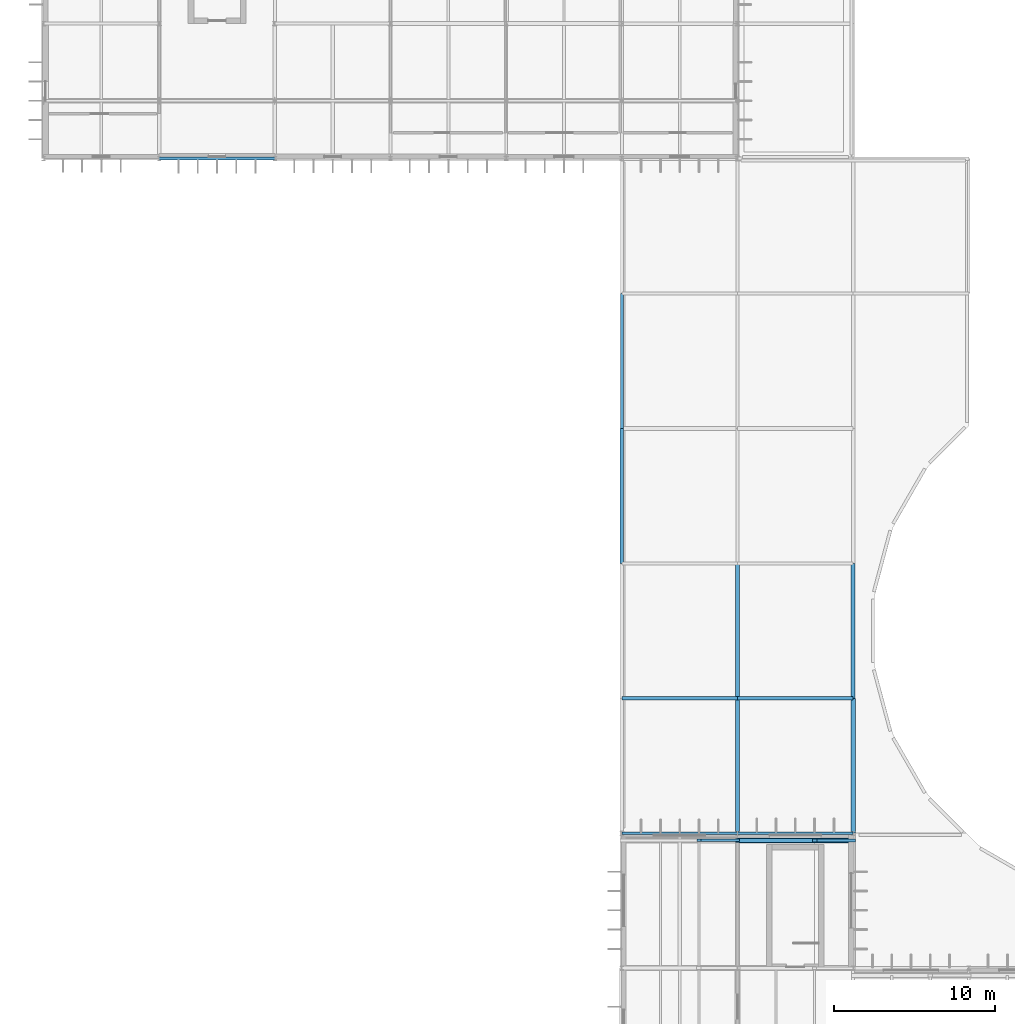
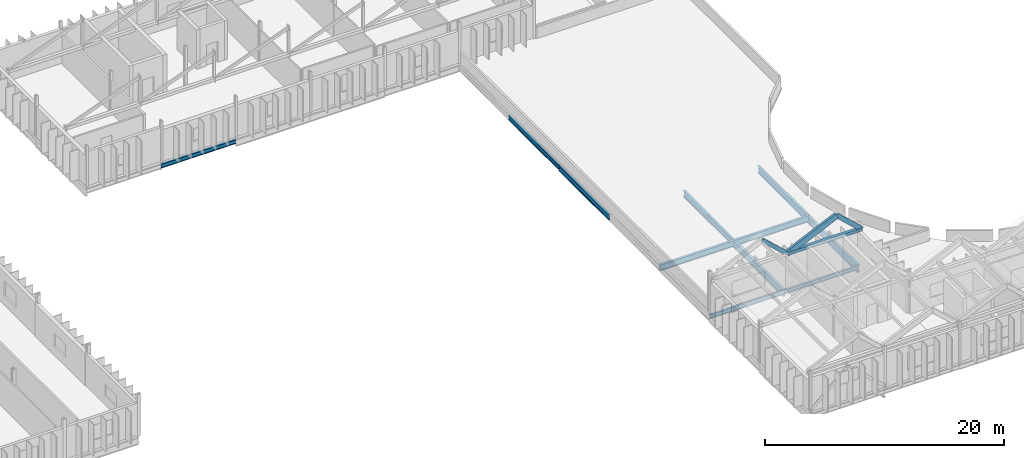
# One storey, part 19 of 52: 11 beams, 4 members.
"""IFC4 building model written with IfcOpenShell, lengths in metres."""

from ifc_helpers import new_model, si_unit, direction, frame, origin, origin_2d, place, context, subcontext, project, spatial, rectangle, hollow_rectangle, i_section, extrude, material, material_profile, profile_set, type_object, element, save


model = new_model("IFC4")

# Units and contexts
model_context = context("Model", 3, precision=1e-05, world=origin(), true_north=direction((0.0, 1.0)))
body_context = subcontext(model_context, "Body", "Model", "MODEL_VIEW")
ifc_project = project(units=[si_unit("LENGTHUNIT", "METRE"), si_unit("AREAUNIT", "SQUARE_METRE"), si_unit("VOLUMEUNIT", "CUBIC_METRE"), si_unit("PLANEANGLEUNIT", "RADIAN"), si_unit("MASSUNIT", "GRAM", prefix="KILO")], contexts=[model_context])

# Site, building, storey
site_placement = place(None, origin())
site = spatial("IfcSite", under=ifc_project, at=site_placement, CompositionType="ELEMENT")
building_placement = place(site_placement, origin())
building = spatial("IfcBuilding", under=site, at=building_placement, Name="Qelthora Terrace Specialist Clinic", CompositionType="ELEMENT")
storey_placement = place(building_placement, frame((0.0, 0.0, 17.39990234375)))
storey = spatial("IfcBuildingStorey", under=building, at=storey_placement, Name="L04", CompositionType="ELEMENT", Elevation=17.39990234375)

# Beams
ifc_material_1 = material(Name="Steel S355", Category="steel")
ifc_material_profile_1 = material_profile(ifc_material_1, i_section(OverallWidth=0.178955078125, OverallDepth=0.409912109375, WebThickness=0.0087890625, FlangeThickness=0.014404296875, FilletRadius=0.011962890625, at=origin_2d()), Name="W410X67")
ifc_profile_set_1 = profile_set([ifc_material_profile_1], Name="Steel S355")
beam_type_1 = type_object("IfcBeamType", Name="BM-W410X67", PredefinedType="BEAM", material=ifc_profile_set_1)
for number, where, z_axis, x_axis, name in (
    (1, (100.800048828125, 50.39990234375, -0.454833984375), (1.0, 0.0, 0.0), (0.0, 1.0, 0.0), "Girder BMX-L04-1144"),
    (2, (64.800048828125, 92.39990234375, -0.454833984375), (1.0, 0.0, 0.0), (0.0, 1.0, 0.0), "Girder BMX-L04-1176"),
):
    element("IfcBeam", number, at=place(storey_placement, frame(where, z_axis=z_axis, x_axis=x_axis)), inside=storey, type_object=beam_type_1, Name=name, PredefinedType="BEAM", context=body_context, shape_type="SweptSolid", body=[
        extrude(i_section(OverallWidth=0.178955078125, OverallDepth=0.409912109375, WebThickness=0.0087890625, FlangeThickness=0.014404296875, FilletRadius=0.011962890625, at=origin_2d()), origin(), (0.0, 0.0, 1.0), 7.199951171875),
    ])
ifc_material_profile_2 = material_profile(ifc_material_1, i_section(OverallWidth=0.179931640625, OverallDepth=0.4130859375, WebThickness=0.009765625, FlangeThickness=0.01611328125, FilletRadius=0.011962890625, at=origin_2d()), Name="W410X75")
ifc_profile_set_2 = profile_set([ifc_material_profile_2], Name="Steel S355")
beam_type_2 = type_object("IfcBeamType", Name="BM-W410X75", PredefinedType="BEAM", material=ifc_profile_set_2)
beam_1_placement = place(storey_placement, frame((93.60009765625, 50.39990234375, -0.456298828125), z_axis=(1.0, 0.0, 0.0), x_axis=(0.0, 1.0, 0.0)))
element("IfcBeam", 3, at=beam_1_placement, inside=storey, type_object=beam_type_2, Name="Girder BMX-L04-1143", PredefinedType="BEAM", context=body_context, shape_type="SweptSolid", body=[
    extrude(i_section(OverallWidth=0.179931640625, OverallDepth=0.4130859375, WebThickness=0.009765625, FlangeThickness=0.01611328125, FilletRadius=0.011962890625, at=origin_2d()), origin(), (0.0, 0.0, 1.0), 7.199951171875),
])
ifc_material_profile_3 = material_profile(ifc_material_1, i_section(OverallWidth=0.193115234375, OverallDepth=0.466064453125, WebThickness=0.011474609375, FlangeThickness=0.01904296875, FilletRadius=0.012939453125, at=origin_2d()), Name="W460X97")
ifc_profile_set_3 = profile_set([ifc_material_profile_3], Name="Steel S355")
beam_type_3 = type_object("IfcBeamType", Name="BM-W460X97", PredefinedType="BEAM", material=ifc_profile_set_3)
beam_2_placement = place(storey_placement, frame((93.60009765625, 75.60009765625, -0.48291015625), z_axis=(0.0, 1.0, 0.0), x_axis=(-1.0, 0.0, 0.0)))
element("IfcBeam", 4, at=beam_2_placement, inside=storey, type_object=beam_type_3, Name="Girder BMY-L04-1257", PredefinedType="BEAM", context=body_context, shape_type="SweptSolid", body=[
    extrude(i_section(OverallWidth=0.193115234375, OverallDepth=0.466064453125, WebThickness=0.011474609375, FlangeThickness=0.01904296875, FilletRadius=0.012939453125, at=origin_2d()), origin(), (0.0, 0.0, 1.0), 8.39990234375),
])
ifc_material_profile_4 = material_profile(ifc_material_1, i_section(OverallWidth=0.2099609375, OverallDepth=0.537109375, WebThickness=0.010986328125, FlangeThickness=0.017333984375, FilletRadius=0.013916015625, at=origin_2d()), Name="W530X101")
ifc_profile_set_4 = profile_set([ifc_material_profile_4], Name="Steel S355")
beam_type_4 = type_object("IfcBeamType", Name="BM-W530X101", PredefinedType="BEAM", material=ifc_profile_set_4)
beam_3_placement = place(storey_placement, frame((93.60009765625, 67.199951171875, -0.518310546875), z_axis=(0.0, 1.0, 0.0), x_axis=(-1.0, 0.0, 0.0)))
element("IfcBeam", 5, at=beam_3_placement, inside=storey, type_object=beam_type_4, Name="Girder BMY-L04-1256", PredefinedType="BEAM", context=body_context, shape_type="SweptSolid", body=[
    extrude(i_section(OverallWidth=0.2099609375, OverallDepth=0.537109375, WebThickness=0.010986328125, FlangeThickness=0.017333984375, FilletRadius=0.013916015625, at=origin_2d()), origin(), (0.0, 0.0, 1.0), 8.400146484375),
])
ifc_material_profile_5 = material_profile(ifc_material_1, i_section(OverallWidth=0.22900390625, OverallDepth=0.612060546875, WebThickness=0.011962890625, FlangeThickness=0.01953125, FilletRadius=0.01611328125, at=origin_2d()), Name="W610X125")
ifc_profile_set_5 = profile_set([ifc_material_profile_5], Name="Steel S355")
beam_type_5 = type_object("IfcBeamType", Name="BM-W610X125", PredefinedType="BEAM", material=ifc_profile_set_5)
beam_4_placement = place(storey_placement, frame((100.800048828125, 58.800048828125, -0.555908203125), z_axis=(1.0, 0.0, 0.0), x_axis=(0.0, 1.0, 0.0)))
element("IfcBeam", 6, at=beam_4_placement, inside=storey, type_object=beam_type_5, Name="Girder BMX-L04-1152", PredefinedType="BEAM", context=body_context, shape_type="SweptSolid", body=[
    extrude(i_section(OverallWidth=0.22900390625, OverallDepth=0.612060546875, WebThickness=0.011962890625, FlangeThickness=0.01953125, FilletRadius=0.01611328125, at=origin_2d()), origin(), (0.0, 0.0, 1.0), 7.199951171875),
])
ifc_material_profile_6 = material_profile(ifc_material_1, i_section(OverallWidth=0.22998046875, OverallDepth=0.616943359375, WebThickness=0.01318359375, FlangeThickness=0.022216796875, FilletRadius=0.01611328125, at=origin_2d()), Name="W610X140")
ifc_profile_set_6 = profile_set([ifc_material_profile_6], Name="Steel S355")
beam_type_6 = type_object("IfcBeamType", Name="BM-W610X140", PredefinedType="BEAM", material=ifc_profile_set_6)
beam_5_placement = place(storey_placement, frame((93.60009765625, 58.800048828125, -0.558349609375), z_axis=(1.0, 0.0, 0.0), x_axis=(0.0, 1.0, 0.0)))
element("IfcBeam", 7, at=beam_5_placement, inside=storey, type_object=beam_type_6, Name="Girder BMX-L04-1151", PredefinedType="BEAM", context=body_context, shape_type="SweptSolid", body=[
    extrude(i_section(OverallWidth=0.22998046875, OverallDepth=0.616943359375, WebThickness=0.01318359375, FlangeThickness=0.022216796875, FilletRadius=0.01611328125, at=origin_2d()), origin(), (0.0, 0.0, 1.0), 7.199951171875),
])
beam_6_placement = place(storey_placement, frame((100.800048828125, 58.800048828125, -0.558349609375), z_axis=(0.0, 1.0, 0.0), x_axis=(-1.0, 0.0, 0.0)))
element("IfcBeam", 8, at=beam_6_placement, inside=storey, type_object=beam_type_6, Name="Girder BMY-L04-1264", PredefinedType="BEAM", context=body_context, shape_type="SweptSolid", body=[
    extrude(i_section(OverallWidth=0.22998046875, OverallDepth=0.616943359375, WebThickness=0.01318359375, FlangeThickness=0.022216796875, FilletRadius=0.01611328125, at=origin_2d()), origin(), (0.0, 0.0, 1.0), 8.39990234375),
])
ifc_material_profile_7 = material_profile(ifc_material_1, i_section(OverallWidth=0.256103515625, OverallDepth=0.693115234375, WebThickness=0.014404296875, FlangeThickness=0.023681640625, FilletRadius=0.01806640625, at=origin_2d()), Name="W690X170")
ifc_profile_set_7 = profile_set([ifc_material_profile_7], Name="Steel S355")
beam_type_7 = type_object("IfcBeamType", Name="BM-W690X170", PredefinedType="BEAM", material=ifc_profile_set_7)
beam_7_placement = place(storey_placement, frame((100.800048828125, 50.39990234375, -0.596435546875), z_axis=(0.0, 1.0, 0.0), x_axis=(-1.0, 0.0, 0.0)))
element("IfcBeam", 9, at=beam_7_placement, inside=storey, type_object=beam_type_7, Name="Girder BMY-L04-1263", PredefinedType="BEAM", context=body_context, shape_type="SweptSolid", body=[
    extrude(i_section(OverallWidth=0.256103515625, OverallDepth=0.693115234375, WebThickness=0.014404296875, FlangeThickness=0.023681640625, FilletRadius=0.01806640625, at=origin_2d()), origin(), (0.0, 0.0, 1.0), 8.400146484375),
])
beam_8_placement = place(storey_placement, frame((108.0, 58.800048828125, -0.596435546875), z_axis=(0.0, 1.0, 0.0), x_axis=(-1.0, 0.0, 0.0)))
element("IfcBeam", 10, at=beam_8_placement, inside=storey, type_object=beam_type_7, Name="Girder BMY-L04-1273", PredefinedType="BEAM", context=body_context, shape_type="SweptSolid", body=[
    extrude(i_section(OverallWidth=0.256103515625, OverallDepth=0.693115234375, WebThickness=0.014404296875, FlangeThickness=0.023681640625, FilletRadius=0.01806640625, at=origin_2d()), origin(), (0.0, 0.0, 1.0), 8.39990234375),
])
ifc_material_profile_8 = material_profile(ifc_material_1, i_section(OverallWidth=0.26806640625, OverallDepth=0.77001953125, WebThickness=0.015625, FlangeThickness=0.025390625, FilletRadius=0.01904296875, at=origin_2d()), Name="W760X196")
ifc_profile_set_8 = profile_set([ifc_material_profile_8], Name="Steel S355")
beam_type_8 = type_object("IfcBeamType", Name="BM-W760X196", PredefinedType="BEAM", material=ifc_profile_set_8)
beam_9_placement = place(storey_placement, frame((108.0, 50.39990234375, -0.635009765625), z_axis=(0.0, 1.0, 0.0), x_axis=(-1.0, 0.0, 0.0)))
element("IfcBeam", 11, at=beam_9_placement, inside=storey, type_object=beam_type_8, Name="Girder BMY-L04-1272", PredefinedType="BEAM", context=body_context, shape_type="SweptSolid", body=[
    extrude(i_section(OverallWidth=0.26806640625, OverallDepth=0.77001953125, WebThickness=0.015625, FlangeThickness=0.025390625, FilletRadius=0.01904296875, at=origin_2d()), origin(), (0.0, 0.0, 1.0), 8.400146484375),
])

# Members
ifc_material_profile_9 = material_profile(ifc_material_1, hollow_rectangle(XDim=0.300048828125, YDim=0.300048828125, WallThickness=0.011962890625, at=origin_2d()), Name="HSS300X300X12")
ifc_profile_set_9 = profile_set([ifc_material_profile_9], Name="Steel S355")
member_type_1 = type_object("IfcMemberType", Name="MEM-CHORD-HSS300", PredefinedType="CHORD", material=ifc_profile_set_9)
member_1_placement = place(storey_placement, frame((100.800048828125, 49.949951171875, 3.75), z_axis=(1.0, 0.0, 0.0), x_axis=(0.0, 1.0, 0.0)))
element("IfcMember", 12, at=member_1_placement, inside=storey, type_object=member_type_1, Name="Gable steel bottom tie chord V4G-006", PredefinedType="CHORD", context=body_context, shape_type="SweptSolid", body=[
    extrude(hollow_rectangle(XDim=0.300048828125, YDim=0.300048828125, WallThickness=0.011962890625, at=origin_2d()), origin(), (0.0, 0.0, 1.0), 7.199951171875),
])
ifc_material_2 = material(Name="Glulam timber GL28h", Category="wood")
ifc_material_profile_10 = material_profile(ifc_material_2, rectangle(XDim=0.159912109375, YDim=0.360107421875, at=origin_2d()), Name="GL160X360")
ifc_profile_set_10 = profile_set([ifc_material_profile_10], Name="Glulam timber GL28h")
member_type_2 = type_object("IfcMemberType", Name="MEM-RAFTER-GL360", PredefinedType="RAFTER", material=ifc_profile_set_10)
member_2_placement = place(storey_placement, frame((98.39990234375, 49.949951171875, 5.9501953125), z_axis=(0.73714480279, 0.0, -0.675734814642), x_axis=(0.0, 1.0, 0.0)))
element("IfcMember", 13, at=member_2_placement, inside=storey, type_object=member_type_2, Name="Glulam gable rafter V4G-003E", PredefinedType="RAFTER", context=body_context, shape_type="SweptSolid", body=[
    extrude(rectangle(XDim=0.159912109375, YDim=0.360107421875, at=origin_2d()), origin(), (0.0, 0.0, 1.0), 3.256103515625),
])
ifc_material_profile_11 = material_profile(ifc_material_2, rectangle(XDim=0.179931640625, YDim=0.419921875, at=origin_2d()), Name="GL180X420")
ifc_profile_set_11 = profile_set([ifc_material_profile_11], Name="Glulam timber GL28h")
member_type_3 = type_object("IfcMemberType", Name="MEM-RAFTER-GL420", PredefinedType="RAFTER", material=ifc_profile_set_11)
member_3_placement = place(storey_placement, frame((105.60009765625, 49.949951171875, 5.9501953125), z_axis=(0.737110562006, 0.0, -0.675772165289), x_axis=(0.0, 1.0, 0.0)))
element("IfcMember", 14, at=member_3_placement, inside=storey, type_object=member_type_3, Name="Glulam gable rafter V4G-006E", PredefinedType="RAFTER", context=body_context, shape_type="SweptSolid", body=[
    extrude(rectangle(XDim=0.179931640625, YDim=0.419921875, at=origin_2d()), origin(), (0.0, 0.0, 1.0), 3.255859375),
])
ifc_material_profile_12 = material_profile(ifc_material_2, rectangle(XDim=0.239990234375, YDim=0.56005859375, at=origin_2d()), Name="GL240X560")
ifc_profile_set_12 = profile_set([ifc_material_profile_12], Name="Glulam timber GL28h")
member_type_4 = type_object("IfcMemberType", Name="MEM-RAFTER-GL560", PredefinedType="RAFTER", material=ifc_profile_set_12)
member_4_placement = place(storey_placement, frame((100.800048828125, 49.949951171875, 3.75), z_axis=(0.909052417623, 0.0, 0.416681775475), x_axis=(0.0, 1.0, 0.0)))
element("IfcMember", 15, at=member_4_placement, inside=storey, type_object=member_type_4, Name="Glulam gable rafter V4G-006W", PredefinedType="RAFTER", context=body_context, shape_type="SweptSolid", body=[
    extrude(rectangle(XDim=0.239990234375, YDim=0.56005859375, at=origin_2d()), origin(), (0.0, 0.0, 1.0), 5.2802734375),
])

save(model, "model.ifc")
